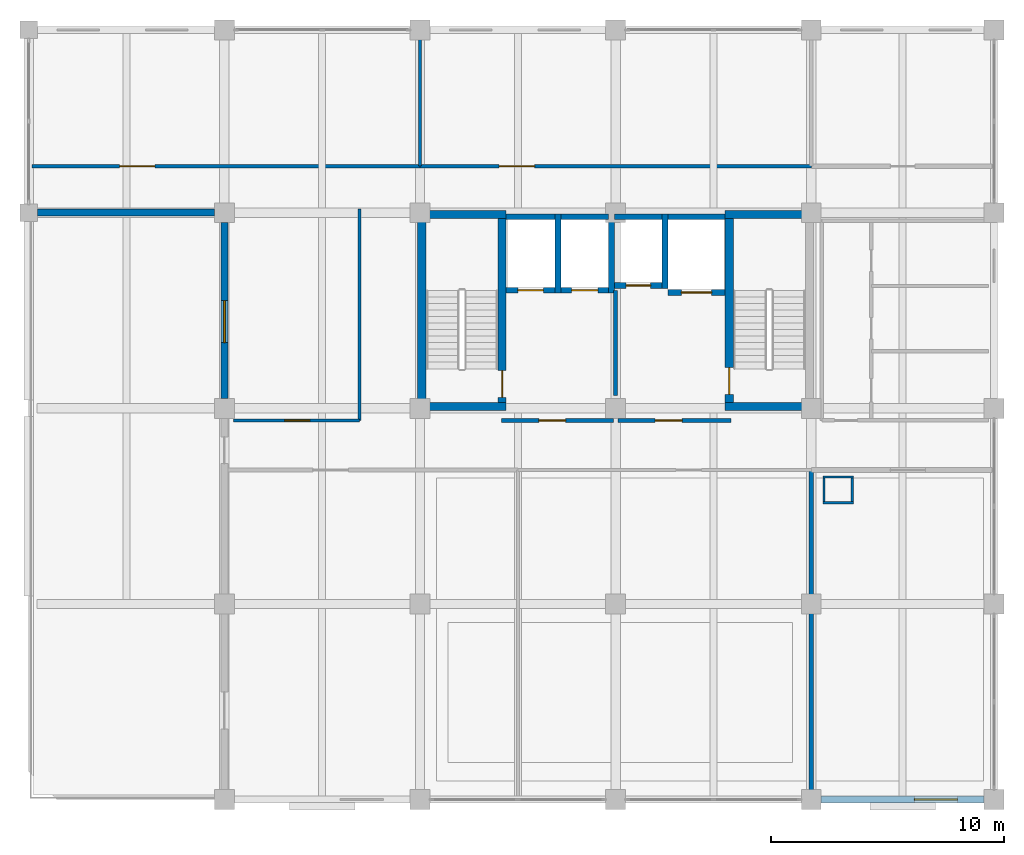
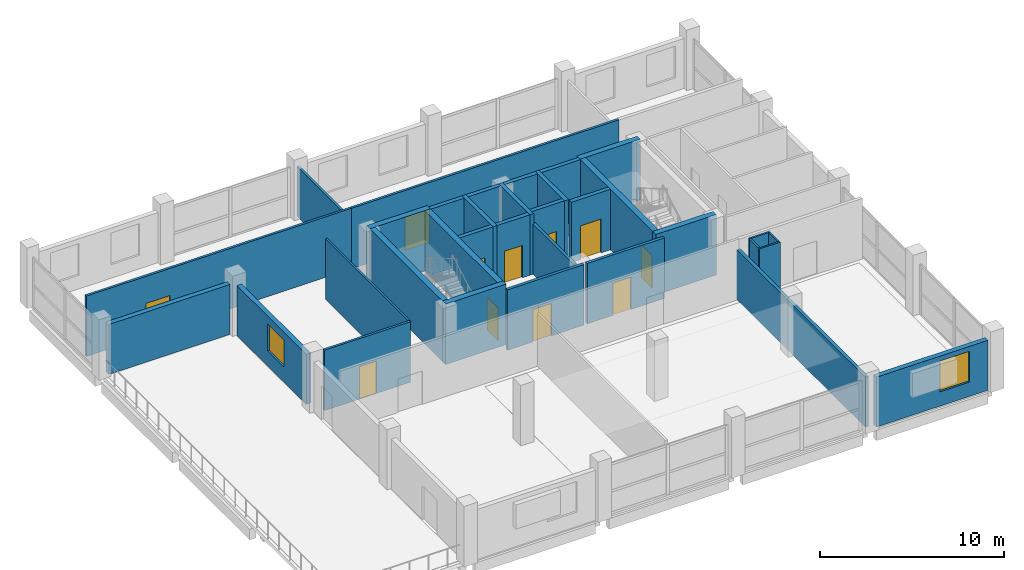
# One storey, part 7 of 10: 34 walls, 11 doors, 2 windows, 13 openings.
"""IFC4 building model written with IfcOpenShell, lengths in metres."""

from ifc_helpers import new_model, si_unit, direction, frame, frame_2d, origin, place, context, subcontext, project, spatial, rectangle, extrude, material, layer, layer_set, type_object, element, fill, save


model = new_model("IFC4")

# Units and contexts
model_context = context("Model", 3, precision=1e-05, world=origin(), true_north=direction((0.0, 1.0)))
body_context = subcontext(model_context, "Body", "Model", "MODEL_VIEW")
ifc_project = project(units=[si_unit("LENGTHUNIT", "METRE"), si_unit("AREAUNIT", "SQUARE_METRE"), si_unit("VOLUMEUNIT", "CUBIC_METRE"), si_unit("PLANEANGLEUNIT", "RADIAN"), si_unit("MASSUNIT", "GRAM", prefix="KILO")], contexts=[model_context])

# Site, building, storey
site_placement = place(None, origin())
site = spatial("IfcSite", under=ifc_project, at=site_placement, CompositionType="ELEMENT")
building_placement = place(site_placement, origin())
building = spatial("IfcBuilding", under=site, at=building_placement, Name="Brinegate Botanical Conservatory", CompositionType="ELEMENT")
storey_placement = place(building_placement, frame((0.0, 0.0, 27.60009765625)))
storey = spatial("IfcBuildingStorey", under=building, at=storey_placement, Name="L07", CompositionType="ELEMENT", Elevation=27.60009765625)

# Wall, opening, window
ifc_material_1 = material(Name="Insulated Minnan red clay brick masonry", Category="masonry")
ifc_layer_1 = layer(ifc_material_1, 0.300048828125, Name="Insulated Minnan red clay brick masonry", Category="masonry")
ifc_layer_set_1 = layer_set([ifc_layer_1], Name="Insulated Minnan red clay brick masonry")
wall_type_1 = type_object("IfcWallType", Name="Wall_EW-300B", PredefinedType="STANDARD", material=ifc_layer_set_1)
wall_1_placement = place(storey_placement, frame((163.02490234375, 78.39990234375, 0.0), z_axis=(0.0, 0.0, 1.0), x_axis=(-1.0, 0.0, 0.0)))
wall_1 = element("IfcWall", 1, at=wall_1_placement, inside=storey, type_object=wall_type_1, Name="Tower south facade wall L07.4", PredefinedType="STANDARD", context=body_context, shape_type="SweptSolid", body=[
    extrude(rectangle(XDim=7.0, YDim=0.300048828125, at=frame_2d((3.5, 0.0))), origin(), (0.0, 0.0, 1.0), 3.31982421875),
])
opening_1_placement = place(wall_1_placement, frame((1.14990234375, 0.0, 0.949951171875)))
opening_1 = element("IfcOpeningElement", 2, at=opening_1_placement, cuts=wall_1, Name="Opening WN-22", PredefinedType="OPENING", context=body_context, shape_type="SweptSolid", body=[
    extrude(rectangle(XDim=1.85009765625, YDim=2.050048828125, at=frame_2d((0.925048828125, 1.02490234375))), frame((0.0, 0.159912109375, 0.0), z_axis=(0.0, -1.0, 0.0), x_axis=(1.0, 0.0, 0.0)), (0.0, 0.0, 1.0), 0.320068359375),
])
ifc_material_2 = material(Name="Thermally broken aluminium-framed Low-E glass", Category="aluminium")
window_type_1 = type_object("IfcWindowType", Name="Win_WN-22", PartitioningType="DOUBLE_PANEL_VERTICAL", PredefinedType="WINDOW", material=ifc_material_2)
window_1_placement = place(opening_1_placement, origin())
window_1 = element("IfcWindow", 3, at=window_1_placement, inside=storey, type_object=window_type_1, Name="Tower south window L07.4", OverallHeight=2.050048828125, OverallWidth=1.85009765625, PartitioningType="DOUBLE_PANEL_VERTICAL", PredefinedType="WINDOW", context=body_context, shape_type="SweptSolid", body=[
    extrude(rectangle(XDim=1.85009765625, YDim=2.050048828125, at=frame_2d((0.925048828125, 1.02490234375))), frame((0.0, 0.030029296875, 0.0), z_axis=(0.0, -1.0, 0.0), x_axis=(1.0, 0.0, 0.0)), (0.0, 0.0, 1.0), 0.06005859375),
])
fill(opening_1, window_1)

wall_2_placement = place(storey_placement, frame((130.39990234375, 95.625, 0.0), z_axis=(0.0, 0.0, 1.0), x_axis=(0.0, 1.0, 0.0)))
wall_2 = element("IfcWall", 4, at=wall_2_placement, inside=storey, type_object=wall_type_1, Name="Tower mid-west wall L07", PredefinedType="STANDARD", context=body_context, shape_type="SweptSolid", body=[
    extrude(rectangle(XDim=7.550048828125, YDim=0.300048828125, at=frame_2d((3.77490234375, 0.0))), origin(), (0.0, 0.0, 1.0), 3.31982421875),
])
opening_2_placement = place(wall_2_placement, frame((2.39990234375, 0.0, 1.0)))
opening_2 = element("IfcOpeningElement", 5, at=opening_2_placement, cuts=wall_2, Name="Opening WN-05", PredefinedType="OPENING", context=body_context, shape_type="SweptSolid", body=[
    extrude(rectangle(XDim=1.800048828125, YDim=1.800048828125, at=frame_2d((0.89990234375, 0.89990234375))), frame((0.0, 0.159912109375, 0.0), z_axis=(0.0, -1.0, 0.0), x_axis=(1.0, 0.0, 0.0)), (0.0, 0.0, 1.0), 0.320068359375),
])
window_type_2 = type_object("IfcWindowType", Name="Win_WN-05", PartitioningType="DOUBLE_PANEL_VERTICAL", PredefinedType="WINDOW", material=ifc_material_2)
window_2_placement = place(opening_2_placement, origin())
window_2 = element("IfcWindow", 6, at=window_2_placement, inside=storey, type_object=window_type_2, Name="Tower mid-west window L07", OverallHeight=1.800048828125, OverallWidth=1.800048828125, PartitioningType="DOUBLE_PANEL_VERTICAL", PredefinedType="WINDOW", context=body_context, shape_type="SweptSolid", body=[
    extrude(rectangle(XDim=1.800048828125, YDim=1.800048828125, at=frame_2d((0.89990234375, 0.89990234375))), frame((0.0, 0.030029296875, 0.0), z_axis=(0.0, -1.0, 0.0), x_axis=(1.0, 0.0, 0.0)), (0.0, 0.0, 1.0), 0.06005859375),
])
fill(opening_2, window_2)

# Walls
wall_3_placement = place(storey_placement, frame((129.97509765625, 103.60009765625, 0.0), z_axis=(0.0, 0.0, 1.0), x_axis=(-1.0, 0.0, 0.0)))
element("IfcWall", 7, at=wall_3_placement, inside=storey, type_object=wall_type_1, Name="Tower west setback return wall L07", PredefinedType="STANDARD", context=body_context, shape_type="SweptSolid", body=[
    extrude(rectangle(XDim=7.60009765625, YDim=0.300048828125, at=frame_2d((3.800048828125, 0.0))), origin(), (0.0, 0.0, 1.0), 3.31982421875),
])
ifc_material_3 = material(Name="Gypsum-clad steel-stud fire-rated shaft partition", Category="steel")
ifc_layer_2 = layer(ifc_material_3, 0.10498046875, Name="Gypsum-clad steel-stud fire-rated shaft partition", Category="steel")
ifc_layer_set_2 = layer_set([ifc_layer_2], Name="Gypsum-clad steel-stud fire-rated shaft partition")
wall_type_2 = type_object("IfcWallType", Name="Wall_PW-105", PredefinedType="PARTITIONING", material=ifc_layer_set_2)
for number, where, z_axis, x_axis, name in (
    (8, (156.094970703125, 91.1474609375, 0.0), (0.0, 0.0, 1.0), (1.0, 0.0, 0.0), "Service riser shaft wall L07 S"),
    (9, (156.094970703125, 92.25244140625, 0.0), (0.0, 0.0, 1.0), (1.0, 0.0, 0.0), "Service riser shaft wall L07 N"),
):
    element("IfcWall", number, at=place(storey_placement, frame(where, z_axis=z_axis, x_axis=x_axis)), inside=storey, type_object=wall_type_2, Name=name, PredefinedType="PARTITIONING", context=body_context, shape_type="SweptSolid", body=[
        extrude(rectangle(XDim=1.31005859375, YDim=0.10498046875, at=frame_2d((0.655029296875, 0.0))), origin(), (0.0, 0.0, 1.0), 4.02001953125),
    ])
for number, where, z_axis, x_axis, name in (
    (10, (156.1474609375, 91.199951171875, 0.0), (0.0, 0.0, 1.0), (0.0, 1.0, 0.0), "Service riser shaft wall L07 W"),
    (11, (157.3525390625, 91.199951171875, 0.0), (0.0, 0.0, 1.0), (0.0, 1.0, 0.0), "Service riser shaft wall L07 E"),
):
    element("IfcWall", number, at=place(storey_placement, frame(where, z_axis=z_axis, x_axis=x_axis)), inside=storey, type_object=wall_type_2, Name=name, PredefinedType="PARTITIONING", context=body_context, shape_type="SweptSolid", body=[
        extrude(rectangle(XDim=1.0, YDim=0.10498046875, at=frame_2d((0.5, 0.0))), origin(), (0.0, 0.0, 1.0), 4.02001953125),
    ])
ifc_material_4 = material(Name="Gypsum-clad steel-stud partition", Category="steel")
ifc_layer_3 = layer(ifc_material_4, 0.1201171875, Name="Gypsum-clad steel-stud partition", Category="steel")
ifc_layer_set_3 = layer_set([ifc_layer_3], Name="Gypsum-clad steel-stud partition")
wall_type_3 = type_object("IfcWallType", Name="Wall_PW-120", PredefinedType="PARTITIONING", material=ifc_layer_set_3)
wall_4_placement = place(storey_placement, frame((136.199951171875, 94.679931640625, 0.0), z_axis=(0.0, 0.0, 1.0), x_axis=(0.0, 1.0, 0.0)))
element("IfcWall", 12, at=wall_4_placement, inside=storey, type_object=wall_type_3, Name="Interior partition P-L07-XCORR-W", PredefinedType="PARTITIONING", context=body_context, shape_type="SweptSolid", body=[
    extrude(rectangle(XDim=9.070068359375, YDim=0.1201171875, at=frame_2d((4.53515625, 0.0))), origin(), (0.0, 0.0, 1.0), 4.02001953125),
])
ifc_layer_4 = layer(ifc_material_4, 0.135009765625, Name="Gypsum-clad steel-stud partition", Category="steel")
ifc_layer_set_4 = layer_set([ifc_layer_4], Name="Gypsum-clad steel-stud partition")
wall_type_4 = type_object("IfcWallType", Name="Wall_PW-135", PredefinedType="PARTITIONING", material=ifc_layer_set_4)
wall_5_placement = place(storey_placement, frame((138.800048828125, 105.60009765625, 0.0), z_axis=(0.0, 0.0, 1.0), x_axis=(0.0, 1.0, 0.0)))
element("IfcWall", 13, at=wall_5_placement, inside=storey, type_object=wall_type_4, Name="Interior partition P-L07-NDIV-N2", PredefinedType="PARTITIONING", context=body_context, shape_type="SweptSolid", body=[
    extrude(rectangle(XDim=5.75, YDim=0.135009765625, at=frame_2d((2.875, 0.0))), origin(), (0.0, 0.0, 1.0), 3.31982421875),
])

# Wall, opening, door
ifc_material_5 = material(Name="Gypsum-clad acoustic steel-stud partition", Category="steel")
ifc_layer_5 = layer(ifc_material_5, 0.14501953125, Name="Gypsum-clad acoustic steel-stud partition", Category="steel")
ifc_layer_set_5 = layer_set([ifc_layer_5], Name="Gypsum-clad acoustic steel-stud partition")
wall_type_5 = type_object("IfcWallType", Name="Wall_PW-150", PredefinedType="PARTITIONING", material=ifc_layer_set_5)
wall_6_placement = place(storey_placement, frame((130.800048828125, 94.679931640625, 0.0), z_axis=(0.0, 0.0, 1.0), x_axis=(1.0, 0.0, 0.0)))
wall_6 = element("IfcWall", 14, at=wall_6_placement, inside=storey, type_object=wall_type_5, Name="Interior partition P-L07-MIDW-S", PredefinedType="PARTITIONING", context=body_context, shape_type="SweptSolid", body=[
    extrude(rectangle(XDim=5.39990234375, YDim=0.14501953125, at=frame_2d((2.699951171875, 0.0))), origin(), (0.0, 0.0, 1.0), 4.02001953125),
])
opening_3_placement = place(wall_6_placement, frame((2.199951171875, 0.0, 0.0)))
opening_3 = element("IfcOpeningElement", 15, at=opening_3_placement, cuts=wall_6, Name="Opening DR-15", PredefinedType="OPENING", context=body_context, shape_type="SweptSolid", body=[
    extrude(rectangle(XDim=1.06005859375, YDim=2.159912109375, at=frame_2d((0.530029296875, 1.080078125))), frame((0.0, 0.08251953125, 0.0), z_axis=(0.0, -1.0, 0.0), x_axis=(1.0, 0.0, 0.0)), (0.0, 0.0, 1.0), 0.1650390625),
])
ifc_material_6 = material(Name="Hardwood laboratory timber leaf", Category="wood")
door_type_1 = type_object("IfcDoorType", Name="Door_DR-15", OperationType="NOTDEFINED", PredefinedType="DOOR", material=ifc_material_6)
door_1_placement = place(opening_3_placement, origin())
door_1 = element("IfcDoor", 16, at=door_1_placement, inside=storey, type_object=door_type_1, Name="DR-P-L07-MIDW-S-1", OperationType="SINGLE_SWING_RIGHT", OverallHeight=2.159912109375, OverallWidth=1.06005859375, PredefinedType="DOOR", context=body_context, shape_type="SweptSolid", body=[
    extrude(rectangle(XDim=1.06005859375, YDim=2.159912109375, at=frame_2d((0.530029296875, 1.080078125))), frame((0.0, 0.02490234375, 0.0), z_axis=(0.0, -1.0, 0.0), x_axis=(1.0, 0.0, 0.0)), (0.0, 0.0, 1.0), 0.050048828125),
])
fill(opening_3, door_1)

wall_7_placement = place(storey_placement, frame((122.14990234375, 105.60009765625, 0.0), z_axis=(0.0, 0.0, 1.0), x_axis=(1.0, 0.0, 0.0)))
wall_7 = element("IfcWall", 17, at=wall_7_placement, inside=storey, type_object=wall_type_5, Name="Interior partition P-L07-NB-N1", PredefinedType="PARTITIONING", context=body_context, shape_type="SweptSolid", body=[
    extrude(rectangle(XDim=16.650146484375, YDim=0.14501953125, at=frame_2d((8.3251953125, 0.0))), origin(), (0.0, 0.0, 1.0), 4.02001953125),
])
opening_4_placement = place(wall_7_placement, frame((3.75, 0.0, 0.0)))
opening_4 = element("IfcOpeningElement", 18, at=opening_4_placement, cuts=wall_7, Name="Opening DR-21", PredefinedType="OPENING", context=body_context, shape_type="SweptSolid", body=[
    extrude(rectangle(XDim=1.52001953125, YDim=2.219970703125, at=frame_2d((0.760009765625, 1.10986328125))), frame((0.0, 0.08251953125, 0.0), z_axis=(0.0, -1.0, 0.0), x_axis=(1.0, 0.0, 0.0)), (0.0, 0.0, 1.0), 0.1650390625),
])
ifc_material_7 = material(Name="Powder-coated steel lab door", Category="steel")
door_type_2 = type_object("IfcDoorType", Name="Door_DR-21", OperationType="NOTDEFINED", PredefinedType="DOOR", material=ifc_material_7)
door_2_placement = place(opening_4_placement, origin())
door_2 = element("IfcDoor", 19, at=door_2_placement, inside=storey, type_object=door_type_2, Name="DR-P-L07-NB-N1-1", OperationType="SINGLE_SWING_LEFT", OverallHeight=2.219970703125, OverallWidth=1.52001953125, PredefinedType="DOOR", context=body_context, shape_type="SweptSolid", body=[
    extrude(rectangle(XDim=1.52001953125, YDim=2.219970703125, at=frame_2d((0.760009765625, 1.10986328125))), frame((0.0, 0.02490234375, 0.0), z_axis=(0.0, -1.0, 0.0), x_axis=(1.0, 0.0, 0.0)), (0.0, 0.0, 1.0), 0.050048828125),
])
fill(opening_4, door_2)

wall_8_placement = place(storey_placement, frame((138.800048828125, 105.60009765625, 0.0), z_axis=(0.0, 0.0, 1.0), x_axis=(1.0, 0.0, 0.0)))
wall_8 = element("IfcWall", 20, at=wall_8_placement, inside=storey, type_object=wall_type_5, Name="Interior partition P-L07-NB-N2", PredefinedType="PARTITIONING", context=body_context, shape_type="SweptSolid", body=[
    extrude(rectangle(XDim=16.800048828125, YDim=0.14501953125, at=frame_2d((8.39990234375, 0.0))), origin(), (0.0, 0.0, 1.0), 4.02001953125),
])
opening_5_placement = place(wall_8_placement, frame((3.39990234375, 0.0, 0.0)))
opening_5 = element("IfcOpeningElement", 21, at=opening_5_placement, cuts=wall_8, Name="Opening DR-21", PredefinedType="OPENING", context=body_context, shape_type="SweptSolid", body=[
    extrude(rectangle(XDim=1.52001953125, YDim=2.219970703125, at=frame_2d((0.760009765625, 1.10986328125))), frame((0.0, 0.08251953125, 0.0), z_axis=(0.0, -1.0, 0.0), x_axis=(1.0, 0.0, 0.0)), (0.0, 0.0, 1.0), 0.1650390625),
])
door_3_placement = place(opening_5_placement, origin())
door_3 = element("IfcDoor", 22, at=door_3_placement, inside=storey, type_object=door_type_2, Name="DR-P-L07-NB-N2-1", OperationType="SINGLE_SWING_RIGHT", OverallHeight=2.219970703125, OverallWidth=1.52001953125, PredefinedType="DOOR", context=body_context, shape_type="SweptSolid", body=[
    extrude(rectangle(XDim=1.52001953125, YDim=2.219970703125, at=frame_2d((0.760009765625, 1.10986328125))), frame((0.0, 0.02490234375, 0.0), z_axis=(0.0, -1.0, 0.0), x_axis=(1.0, 0.0, 0.0)), (0.0, 0.0, 1.0), 0.050048828125),
])
fill(opening_5, door_3)

ifc_material_8 = material(Name="Autoclaved aerated concrete C40/50 blockwork", Category="masonry")
ifc_layer_6 = layer(ifc_material_8, 0.179931640625, Name="Autoclaved aerated concrete C40/50 blockwork", Category="masonry")
ifc_layer_set_6 = layer_set([ifc_layer_6], Name="Autoclaved aerated concrete C40/50 blockwork")
wall_type_6 = type_object("IfcWallType", Name="Wall_PW-180F", PredefinedType="STANDARD", material=ifc_layer_set_6)
wall_9_placement = place(storey_placement, frame((142.300048828125, 94.679931640625, 0.0), z_axis=(0.0, 0.0, 1.0), x_axis=(1.0, 0.0, 0.0)))
wall_9 = element("IfcWall", 23, at=wall_9_placement, inside=storey, type_object=wall_type_6, Name="Interior partition P-L07-CORE-FF", PredefinedType="STANDARD", context=body_context, shape_type="SweptSolid", body=[
    extrude(rectangle(XDim=4.800048828125, YDim=0.179931640625, at=frame_2d((2.39990234375, 0.0))), origin(), (0.0, 0.0, 1.0), 4.02001953125),
])
opening_6_placement = place(wall_9_placement, frame((1.60009765625, 0.0, 0.0)))
opening_6 = element("IfcOpeningElement", 24, at=opening_6_placement, cuts=wall_9, Name="Opening FD-B1", PredefinedType="OPENING", context=body_context, shape_type="SweptSolid", body=[
    extrude(rectangle(XDim=1.14990234375, YDim=2.14990234375, at=frame_2d((0.574951171875, 1.074951171875))), frame((0.0, 0.099853515625, 0.0), z_axis=(0.0, -1.0, 0.0), x_axis=(1.0, 0.0, 0.0)), (0.0, 0.0, 1.0), 0.199951171875),
])
ifc_material_9 = material(Name="Steel smoke-proof fire door assembly", Category="steel")
door_type_3 = type_object("IfcDoorType", Name="Door_FD-B1", OperationType="NOTDEFINED", PredefinedType="DOOR", material=ifc_material_9)
door_4_placement = place(opening_6_placement, origin())
door_4 = element("IfcDoor", 25, at=door_4_placement, inside=storey, type_object=door_type_3, Name="DR-P-L07-CORE-FF-1", OperationType="SINGLE_SWING_LEFT", OverallHeight=2.14990234375, OverallWidth=1.14990234375, PredefinedType="DOOR", context=body_context, shape_type="SweptSolid", body=[
    extrude(rectangle(XDim=1.14990234375, YDim=2.14990234375, at=frame_2d((0.574951171875, 1.074951171875))), frame((0.0, 0.02490234375, 0.0), z_axis=(0.0, -1.0, 0.0), x_axis=(1.0, 0.0, 0.0)), (0.0, 0.0, 1.0), 0.050048828125),
])
fill(opening_6, door_4)

wall_10_placement = place(storey_placement, frame((147.300048828125, 94.679931640625, 0.0), z_axis=(0.0, 0.0, 1.0), x_axis=(1.0, 0.0, 0.0)))
wall_10 = element("IfcWall", 26, at=wall_10_placement, inside=storey, type_object=wall_type_6, Name="Interior partition P-L07-CORE-PAX", PredefinedType="STANDARD", context=body_context, shape_type="SweptSolid", body=[
    extrude(rectangle(XDim=4.849853515625, YDim=0.179931640625, at=frame_2d((2.4248046875, 0.0))), origin(), (0.0, 0.0, 1.0), 4.02001953125),
])
opening_7_placement = place(wall_10_placement, frame((1.60009765625, 0.0, 0.0)))
opening_7 = element("IfcOpeningElement", 27, at=opening_7_placement, cuts=wall_10, Name="Opening FD-B1", PredefinedType="OPENING", context=body_context, shape_type="SweptSolid", body=[
    extrude(rectangle(XDim=1.14990234375, YDim=2.14990234375, at=frame_2d((0.574951171875, 1.074951171875))), frame((0.0, 0.099853515625, 0.0), z_axis=(0.0, -1.0, 0.0), x_axis=(1.0, 0.0, 0.0)), (0.0, 0.0, 1.0), 0.199951171875),
])
door_5_placement = place(opening_7_placement, origin())
door_5 = element("IfcDoor", 28, at=door_5_placement, inside=storey, type_object=door_type_3, Name="DR-P-L07-CORE-PAX-1", OperationType="SINGLE_SWING_RIGHT", OverallHeight=2.14990234375, OverallWidth=1.14990234375, PredefinedType="DOOR", context=body_context, shape_type="SweptSolid", body=[
    extrude(rectangle(XDim=1.14990234375, YDim=2.14990234375, at=frame_2d((0.574951171875, 1.074951171875))), frame((0.0, 0.02490234375, 0.0), z_axis=(0.0, -1.0, 0.0), x_axis=(1.0, 0.0, 0.0)), (0.0, 0.0, 1.0), 0.050048828125),
])
fill(opening_7, door_5)

# Walls
wall_11_placement = place(storey_placement, frame((147.199951171875, 95.75, 0.0), z_axis=(0.0, 0.0, 1.0), x_axis=(0.0, 1.0, 0.0)))
element("IfcWall", 29, at=wall_11_placement, inside=storey, type_object=wall_type_6, Name="Interior partition P-L07-CORE-DIV", PredefinedType="STANDARD", context=body_context, shape_type="SweptSolid", body=[
    extrude(rectangle(XDim=4.5, YDim=0.179931640625, at=frame_2d((2.25, 0.0))), origin(), (0.0, 0.0, 1.0), 3.31982421875),
])
ifc_layer_7 = layer(ifc_material_8, 0.199951171875, Name="Autoclaved aerated concrete C40/50 blockwork", Category="masonry")
ifc_layer_set_7 = layer_set([ifc_layer_7], Name="Autoclaved aerated concrete C40/50 blockwork")
wall_type_7 = type_object("IfcWallType", Name="Wall_PW-200F", PredefinedType="SOLIDWALL", material=ifc_layer_set_7)
wall_12_placement = place(storey_placement, frame((155.60009765625, 78.550048828125, 0.0), z_axis=(0.0, 0.0, 1.0), x_axis=(0.0, 1.0, 0.0)))
element("IfcWall", 30, at=wall_12_placement, inside=storey, type_object=wall_type_7, Name="Interior partition P-L07-SDIV-S3", PredefinedType="SOLIDWALL", context=body_context, shape_type="SweptSolid", body=[
    extrude(rectangle(XDim=14.0, YDim=0.199951171875, at=frame_2d((7.0, 0.0))), origin(), (0.0, 0.0, 1.0), 3.31982421875),
])

# Wall, opening, door
ifc_material_10 = material(Name="Concrete C40/50", Category="concrete")
ifc_layer_8 = layer(ifc_material_10, 0.25, Name="Concrete C40/50", Category="concrete")
ifc_layer_set_8 = layer_set([ifc_layer_8], Name="Concrete C40/50")
wall_type_8 = type_object("IfcWallType", Name="Wall_SW-250", PredefinedType="SHEAR", material=ifc_layer_set_8)
wall_13_placement = place(storey_placement, frame((142.5, 100.27490234375, 0.0), z_axis=(0.0, 0.0, 1.0), x_axis=(1.0, 0.0, 0.0)))
wall_13 = element("IfcWall", 31, at=wall_13_placement, inside=storey, type_object=wall_type_8, Name="Lift shaft LF1 shear wall L07 S", PredefinedType="SHEAR", context=body_context, shape_type="SweptSolid", body=[
    extrude(rectangle(XDim=2.10009765625, YDim=0.25, at=frame_2d((1.050048828125, 0.0))), origin(), (0.0, 0.0, 1.0), 4.02001953125),
])
opening_8_placement = place(wall_13_placement, frame((0.5, 0.0, 0.0)))
opening_8 = element("IfcOpeningElement", 32, at=opening_8_placement, cuts=wall_13, Name="Opening LD-01", PredefinedType="OPENING", context=body_context, shape_type="SweptSolid", body=[
    extrude(rectangle(XDim=1.10009765625, YDim=2.14990234375, at=frame_2d((0.550048828125, 1.074951171875))), frame((0.0, 0.135009765625, 0.0), z_axis=(0.0, -1.0, 0.0), x_axis=(1.0, 0.0, 0.0)), (0.0, 0.0, 1.0), 0.27001953125),
])
ifc_material_11 = material(Name="Brushed stainless steel S355 landing door", Category="steel")
door_type_4 = type_object("IfcDoorType", Name="Door_LD-01", OperationType="SLIDING_TO_LEFT", PredefinedType="DOOR", material=ifc_material_11)
door_6_placement = place(opening_8_placement, origin())
door_6 = element("IfcDoor", 33, at=door_6_placement, inside=storey, type_object=door_type_4, Name="LD-LF1-L07", OperationType="SLIDING_TO_LEFT", OverallHeight=2.14990234375, OverallWidth=1.10009765625, PredefinedType="DOOR", context=body_context, shape_type="SweptSolid", body=[
    extrude(rectangle(XDim=1.10009765625, YDim=2.14990234375, at=frame_2d((0.550048828125, 1.074951171875))), frame((0.0, 0.02490234375, 0.0), z_axis=(0.0, -1.0, 0.0), x_axis=(1.0, 0.0, 0.0)), (0.0, 0.0, 1.0), 0.050048828125),
])
fill(opening_8, door_6)

# Walls
wall_14_placement = place(storey_placement, frame((142.5, 103.425048828125, 0.0), z_axis=(0.0, 0.0, 1.0), x_axis=(1.0, 0.0, 0.0)))
element("IfcWall", 34, at=wall_14_placement, inside=storey, type_object=wall_type_8, Name="Lift shaft LF1 shear wall L07 N", PredefinedType="SHEAR", context=body_context, shape_type="SweptSolid", body=[
    extrude(rectangle(XDim=2.10009765625, YDim=0.25, at=frame_2d((1.050048828125, 0.0))), origin(), (0.0, 0.0, 1.0), 4.02001953125),
])
wall_15_placement = place(storey_placement, frame((144.72509765625, 100.14990234375, 0.0), z_axis=(0.0, 0.0, 1.0), x_axis=(0.0, 1.0, 0.0)))
element("IfcWall", 35, at=wall_15_placement, inside=storey, type_object=wall_type_8, Name="Lift shaft LF1 shear wall L07 E", PredefinedType="SHEAR", context=body_context, shape_type="SweptSolid", body=[
    extrude(rectangle(XDim=3.400146484375, YDim=0.25, at=frame_2d((1.7001953125, 0.0))), origin(), (0.0, 0.0, 1.0), 4.02001953125),
])

# Wall, opening, door
wall_16_placement = place(storey_placement, frame((144.85009765625, 100.27490234375, 0.0), z_axis=(0.0, 0.0, 1.0), x_axis=(1.0, 0.0, 0.0)))
wall_16 = element("IfcWall", 36, at=wall_16_placement, inside=storey, type_object=wall_type_8, Name="Lift shaft LF2 shear wall L07 S", PredefinedType="SHEAR", context=body_context, shape_type="SweptSolid", body=[
    extrude(rectangle(XDim=2.0498046875, YDim=0.25, at=frame_2d((1.02490234375, 0.0))), origin(), (0.0, 0.0, 1.0), 4.02001953125),
])
opening_9_placement = place(wall_16_placement, frame((0.465087890625, 0.0, 0.0)))
opening_9 = element("IfcOpeningElement", 37, at=opening_9_placement, cuts=wall_16, Name="Opening LD-02", PredefinedType="OPENING", context=body_context, shape_type="SweptSolid", body=[
    extrude(rectangle(XDim=1.1201171875, YDim=2.14990234375, at=frame_2d((0.56005859375, 1.074951171875))), frame((0.0, 0.135009765625, 0.0), z_axis=(0.0, -1.0, 0.0), x_axis=(1.0, 0.0, 0.0)), (0.0, 0.0, 1.0), 0.27001953125),
])
door_type_5 = type_object("IfcDoorType", Name="Door_LD-02", OperationType="SLIDING_TO_LEFT", PredefinedType="DOOR", material=ifc_material_11)
door_7_placement = place(opening_9_placement, origin())
door_7 = element("IfcDoor", 38, at=door_7_placement, inside=storey, type_object=door_type_5, Name="LD-LF2-L07", OperationType="SLIDING_TO_LEFT", OverallHeight=2.14990234375, OverallWidth=1.1201171875, PredefinedType="DOOR", context=body_context, shape_type="SweptSolid", body=[
    extrude(rectangle(XDim=1.1201171875, YDim=2.14990234375, at=frame_2d((0.56005859375, 1.074951171875))), frame((0.0, 0.02490234375, 0.0), z_axis=(0.0, -1.0, 0.0), x_axis=(1.0, 0.0, 0.0)), (0.0, 0.0, 1.0), 0.050048828125),
])
fill(opening_9, door_7)

# Walls
wall_17_placement = place(storey_placement, frame((144.85009765625, 103.425048828125, 0.0), z_axis=(0.0, 0.0, 1.0), x_axis=(1.0, 0.0, 0.0)))
element("IfcWall", 39, at=wall_17_placement, inside=storey, type_object=wall_type_8, Name="Lift shaft LF2 shear wall L07 N", PredefinedType="SHEAR", context=body_context, shape_type="SweptSolid", body=[
    extrude(rectangle(XDim=2.0498046875, YDim=0.25, at=frame_2d((1.02490234375, 0.0))), origin(), (0.0, 0.0, 1.0), 4.02001953125),
])
wall_18_placement = place(storey_placement, frame((147.02490234375, 100.14990234375, 0.0), z_axis=(0.0, 0.0, 1.0), x_axis=(0.0, 1.0, 0.0)))
element("IfcWall", 40, at=wall_18_placement, inside=storey, type_object=wall_type_8, Name="Lift shaft LF2 shear wall L07 E", PredefinedType="SHEAR", context=body_context, shape_type="SweptSolid", body=[
    extrude(rectangle(XDim=3.400146484375, YDim=0.25, at=frame_2d((1.7001953125, 0.0))), origin(), (0.0, 0.0, 1.0), 4.02001953125),
])

# Wall, opening, door
wall_19_placement = place(storey_placement, frame((147.14990234375, 100.47509765625, 0.0), z_axis=(0.0, 0.0, 1.0), x_axis=(1.0, 0.0, 0.0)))
wall_19 = element("IfcWall", 41, at=wall_19_placement, inside=storey, type_object=wall_type_8, Name="Lift shaft LF3 shear wall L07 S", PredefinedType="SHEAR", context=body_context, shape_type="SweptSolid", body=[
    extrude(rectangle(XDim=2.050048828125, YDim=0.25, at=frame_2d((1.02490234375, 0.0))), origin(), (0.0, 0.0, 1.0), 4.02001953125),
])
opening_10_placement = place(wall_19_placement, frame((0.4951171875, 0.0, 0.0)))
opening_10 = element("IfcOpeningElement", 42, at=opening_10_placement, cuts=wall_19, Name="Opening LD-03", PredefinedType="OPENING", context=body_context, shape_type="SweptSolid", body=[
    extrude(rectangle(XDim=1.06005859375, YDim=2.14990234375, at=frame_2d((0.530029296875, 1.074951171875))), frame((0.0, 0.135009765625, 0.0), z_axis=(0.0, -1.0, 0.0), x_axis=(1.0, 0.0, 0.0)), (0.0, 0.0, 1.0), 0.27001953125),
])
door_type_6 = type_object("IfcDoorType", Name="Door_LD-03", OperationType="SLIDING_TO_LEFT", PredefinedType="DOOR", material=ifc_material_11)
door_8_placement = place(opening_10_placement, origin())
door_8 = element("IfcDoor", 43, at=door_8_placement, inside=storey, type_object=door_type_6, Name="LD-LF3-L07", OperationType="SLIDING_TO_LEFT", OverallHeight=2.14990234375, OverallWidth=1.06005859375, PredefinedType="DOOR", context=body_context, shape_type="SweptSolid", body=[
    extrude(rectangle(XDim=1.06005859375, YDim=2.14990234375, at=frame_2d((0.530029296875, 1.074951171875))), frame((0.0, 0.02490234375, 0.0), z_axis=(0.0, -1.0, 0.0), x_axis=(1.0, 0.0, 0.0)), (0.0, 0.0, 1.0), 0.050048828125),
])
fill(opening_10, door_8)

# Walls
wall_20_placement = place(storey_placement, frame((147.14990234375, 103.425048828125, 0.0), z_axis=(0.0, 0.0, 1.0), x_axis=(1.0, 0.0, 0.0)))
element("IfcWall", 44, at=wall_20_placement, inside=storey, type_object=wall_type_8, Name="Lift shaft LF3 shear wall L07 N", PredefinedType="SHEAR", context=body_context, shape_type="SweptSolid", body=[
    extrude(rectangle(XDim=2.050048828125, YDim=0.25, at=frame_2d((1.02490234375, 0.0))), origin(), (0.0, 0.0, 1.0), 4.02001953125),
])
wall_21_placement = place(storey_placement, frame((149.324951171875, 100.35009765625, 0.0), z_axis=(0.0, 0.0, 1.0), x_axis=(0.0, 1.0, 0.0)))
element("IfcWall", 45, at=wall_21_placement, inside=storey, type_object=wall_type_8, Name="Lift shaft LF3 shear wall L07 E", PredefinedType="SHEAR", context=body_context, shape_type="SweptSolid", body=[
    extrude(rectangle(XDim=3.199951171875, YDim=0.25, at=frame_2d((1.60009765625, 0.0))), origin(), (0.0, 0.0, 1.0), 4.02001953125),
])

# Wall, opening, door
wall_22_placement = place(storey_placement, frame((149.449951171875, 100.175048828125, 0.0), z_axis=(0.0, 0.0, 1.0), x_axis=(1.0, 0.0, 0.0)))
wall_22 = element("IfcWall", 46, at=wall_22_placement, inside=storey, type_object=wall_type_8, Name="Lift shaft LF4 shear wall L07 S", PredefinedType="SHEAR", context=body_context, shape_type="SweptSolid", body=[
    extrude(rectangle(XDim=2.449951171875, YDim=0.25, at=frame_2d((1.22509765625, 0.0))), origin(), (0.0, 0.0, 1.0), 4.02001953125),
])
opening_11_placement = place(wall_22_placement, frame((0.574951171875, 0.0, 0.0)))
opening_11 = element("IfcOpeningElement", 47, at=opening_11_placement, cuts=wall_22, Name="Opening LD-04", PredefinedType="OPENING", context=body_context, shape_type="SweptSolid", body=[
    extrude(rectangle(XDim=1.300048828125, YDim=2.25, at=frame_2d((0.64990234375, 1.125))), frame((0.0, 0.135009765625, 0.0), z_axis=(0.0, -1.0, 0.0), x_axis=(1.0, 0.0, 0.0)), (0.0, 0.0, 1.0), 0.27001953125),
])
door_type_7 = type_object("IfcDoorType", Name="Door_LD-04", OperationType="SLIDING_TO_LEFT", PredefinedType="DOOR", material=ifc_material_11)
door_9_placement = place(opening_11_placement, origin())
door_9 = element("IfcDoor", 48, at=door_9_placement, inside=storey, type_object=door_type_7, Name="LD-LF4-L07", OperationType="SLIDING_TO_LEFT", OverallHeight=2.25, OverallWidth=1.300048828125, PredefinedType="DOOR", context=body_context, shape_type="SweptSolid", body=[
    extrude(rectangle(XDim=1.300048828125, YDim=2.25, at=frame_2d((0.64990234375, 1.125))), frame((0.0, 0.02490234375, 0.0), z_axis=(0.0, -1.0, 0.0), x_axis=(1.0, 0.0, 0.0)), (0.0, 0.0, 1.0), 0.050048828125),
])
fill(opening_11, door_9)

# Walls
wall_23_placement = place(storey_placement, frame((149.449951171875, 103.425048828125, 0.0), z_axis=(0.0, 0.0, 1.0), x_axis=(1.0, 0.0, 0.0)))
element("IfcWall", 49, at=wall_23_placement, inside=storey, type_object=wall_type_8, Name="Lift shaft LF4 shear wall L07 N", PredefinedType="SHEAR", context=body_context, shape_type="SweptSolid", body=[
    extrude(rectangle(XDim=2.449951171875, YDim=0.25, at=frame_2d((1.22509765625, 0.0))), origin(), (0.0, 0.0, 1.0), 4.02001953125),
])
ifc_layer_9 = layer(ifc_material_10, 0.35009765625, Name="Concrete C40/50", Category="concrete")
ifc_layer_set_9 = layer_set([ifc_layer_9], Name="Concrete C40/50")
wall_type_9 = type_object("IfcWallType", Name="Wall_SW-350", PredefinedType="SHEAR", material=ifc_layer_set_9)
for number, where, z_axis, x_axis, name in (
    (50, (138.699951171875, 95.27490234375, 0.0), (0.0, 0.0, 1.0), (1.0, 0.0, 0.0), "Stairwell ST1 shear wall L07 S"),
    (51, (138.699951171875, 103.52490234375, 0.0), (0.0, 0.0, 1.0), (1.0, 0.0, 0.0), "Stairwell ST1 shear wall L07 N"),
):
    element("IfcWall", number, at=place(storey_placement, frame(where, z_axis=z_axis, x_axis=x_axis)), inside=storey, type_object=wall_type_9, Name=name, PredefinedType="SHEAR", context=body_context, shape_type="SweptSolid", body=[
        extrude(rectangle(XDim=3.800048828125, YDim=0.35009765625, at=frame_2d((1.89990234375, 0.0))), origin(), (0.0, 0.0, 1.0), 4.02001953125),
    ])
wall_24_placement = place(storey_placement, frame((138.875, 95.449951171875, 0.0), z_axis=(0.0, 0.0, 1.0), x_axis=(0.0, 1.0, 0.0)))
element("IfcWall", 52, at=wall_24_placement, inside=storey, type_object=wall_type_9, Name="Stairwell ST1 shear wall L07 W", PredefinedType="SHEAR", context=body_context, shape_type="SweptSolid", body=[
    extrude(rectangle(XDim=7.900146484375, YDim=0.35009765625, at=frame_2d((3.9501953125, 0.0))), origin(), (0.0, 0.0, 1.0), 4.02001953125),
])

# Wall, opening, door
wall_25_placement = place(storey_placement, frame((142.324951171875, 95.449951171875, 0.0), z_axis=(0.0, 0.0, 1.0), x_axis=(0.0, 1.0, 0.0)))
wall_25 = element("IfcWall", 53, at=wall_25_placement, inside=storey, type_object=wall_type_9, Name="Stairwell ST1 shear wall L07 E", PredefinedType="SHEAR", context=body_context, shape_type="SweptSolid", body=[
    extrude(rectangle(XDim=7.900146484375, YDim=0.35009765625, at=frame_2d((3.9501953125, 0.0))), origin(), (0.0, 0.0, 1.0), 4.02001953125),
])
opening_12_placement = place(wall_25_placement, frame((0.219970703125, 0.0, 0.0)))
opening_12 = element("IfcOpeningElement", 54, at=opening_12_placement, cuts=wall_25, Name="Opening FD-B1", PredefinedType="OPENING", context=body_context, shape_type="SweptSolid", body=[
    extrude(rectangle(XDim=1.14990234375, YDim=2.14990234375, at=frame_2d((0.574951171875, 1.074951171875))), frame((0.0, 0.18505859375, 0.0), z_axis=(0.0, -1.0, 0.0), x_axis=(1.0, 0.0, 0.0)), (0.0, 0.0, 1.0), 0.3701171875),
])
door_10_placement = place(opening_12_placement, origin())
door_10 = element("IfcDoor", 55, at=door_10_placement, inside=storey, type_object=door_type_3, Name="DR-ST-ST1-L07", OperationType="SINGLE_SWING_LEFT", OverallHeight=2.14990234375, OverallWidth=1.14990234375, PredefinedType="DOOR", context=body_context, shape_type="SweptSolid", body=[
    extrude(rectangle(XDim=1.14990234375, YDim=2.14990234375, at=frame_2d((0.574951171875, 1.074951171875))), frame((0.0, 0.02490234375, 0.0), z_axis=(0.0, -1.0, 0.0), x_axis=(1.0, 0.0, 0.0)), (0.0, 0.0, 1.0), 0.050048828125),
])
fill(opening_12, door_10)

# Walls
for number, where, z_axis, x_axis, name in (
    (56, (151.89990234375, 95.27490234375, 0.0), (0.0, 0.0, 1.0), (1.0, 0.0, 0.0), "Stairwell ST2 shear wall L07 S"),
    (57, (151.89990234375, 103.52490234375, 0.0), (0.0, 0.0, 1.0), (1.0, 0.0, 0.0), "Stairwell ST2 shear wall L07 N"),
):
    element("IfcWall", number, at=place(storey_placement, frame(where, z_axis=z_axis, x_axis=x_axis)), inside=storey, type_object=wall_type_9, Name=name, PredefinedType="SHEAR", context=body_context, shape_type="SweptSolid", body=[
        extrude(rectangle(XDim=3.800048828125, YDim=0.35009765625, at=frame_2d((1.89990234375, 0.0))), origin(), (0.0, 0.0, 1.0), 4.02001953125),
    ])

# Wall, opening, door
wall_26_placement = place(storey_placement, frame((152.074951171875, 95.449951171875, 0.0), z_axis=(0.0, 0.0, 1.0), x_axis=(0.0, 1.0, 0.0)))
wall_26 = element("IfcWall", 58, at=wall_26_placement, inside=storey, type_object=wall_type_9, Name="Stairwell ST2 shear wall L07 W", PredefinedType="SHEAR", context=body_context, shape_type="SweptSolid", body=[
    extrude(rectangle(XDim=7.900146484375, YDim=0.35009765625, at=frame_2d((3.9501953125, 0.0))), origin(), (0.0, 0.0, 1.0), 4.02001953125),
])
opening_13_placement = place(wall_26_placement, frame((0.35009765625, 0.0, 0.0)))
opening_13 = element("IfcOpeningElement", 59, at=opening_13_placement, cuts=wall_26, Name="Opening FD-B1", PredefinedType="OPENING", context=body_context, shape_type="SweptSolid", body=[
    extrude(rectangle(XDim=1.14990234375, YDim=2.14990234375, at=frame_2d((0.574951171875, 1.074951171875))), frame((0.0, 0.18505859375, 0.0), z_axis=(0.0, -1.0, 0.0), x_axis=(1.0, 0.0, 0.0)), (0.0, 0.0, 1.0), 0.3701171875),
])
door_11_placement = place(opening_13_placement, origin())
door_11 = element("IfcDoor", 60, at=door_11_placement, inside=storey, type_object=door_type_3, Name="DR-ST-ST2-L07", OperationType="SINGLE_SWING_LEFT", OverallHeight=2.14990234375, OverallWidth=1.14990234375, PredefinedType="DOOR", context=body_context, shape_type="SweptSolid", body=[
    extrude(rectangle(XDim=1.14990234375, YDim=2.14990234375, at=frame_2d((0.574951171875, 1.074951171875))), frame((0.0, 0.02490234375, 0.0), z_axis=(0.0, -1.0, 0.0), x_axis=(1.0, 0.0, 0.0)), (0.0, 0.0, 1.0), 0.050048828125),
])
fill(opening_13, door_11)

save(model, "model.ifc")
